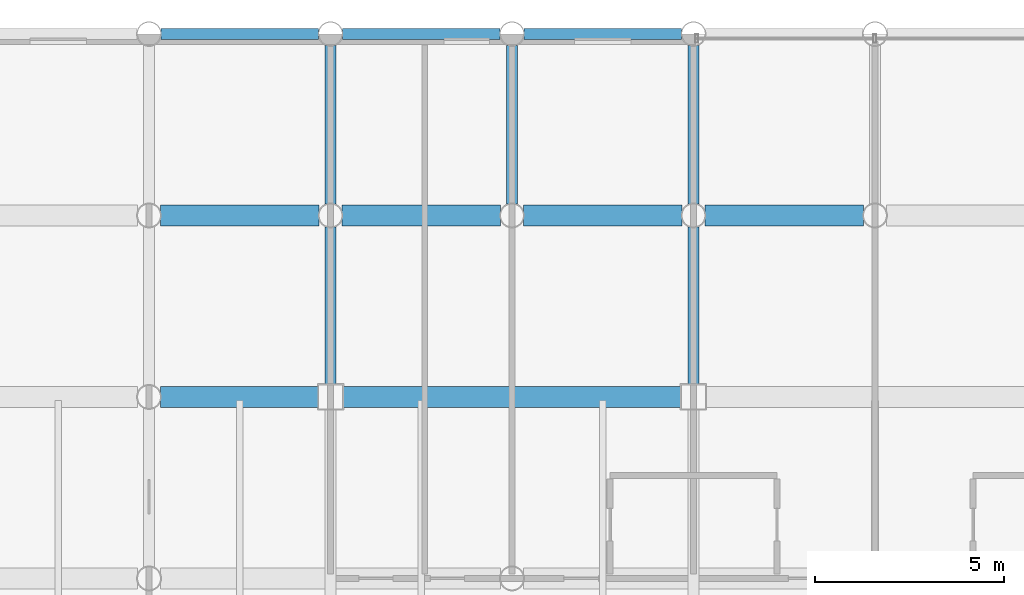
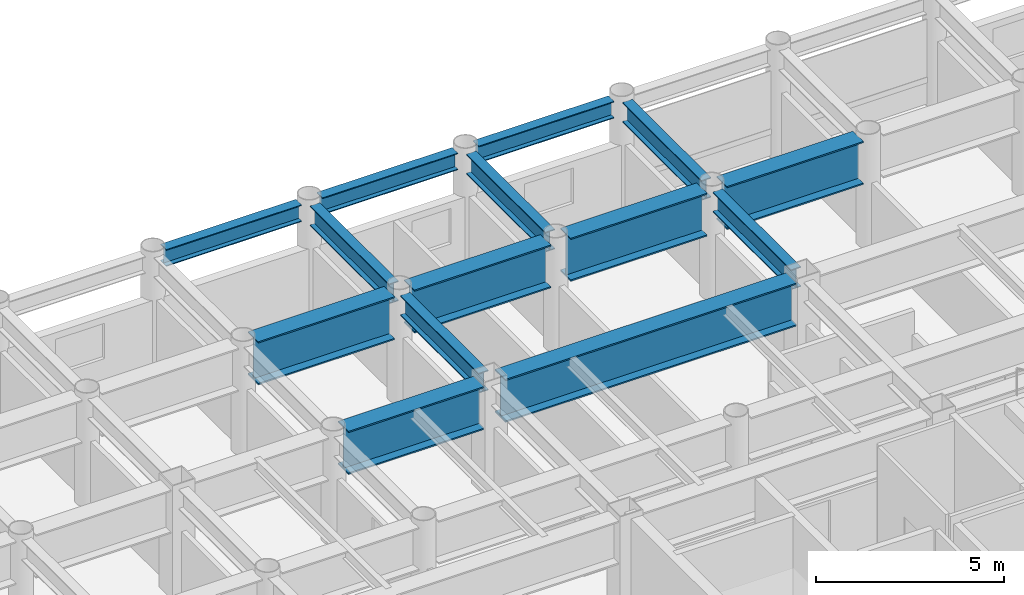
# One storey, part 11 of 23: 14 beams.
"""IFC4 building model written with IfcOpenShell, lengths in metres."""

import ifcopenshell
import ifcopenshell.guid

model = None  # the IFC model being written
_history = None  # IfcOwnerHistory: only IFC2X3 demands one
_inside = {}  # id of a spatial element -> (the spatial element, [elements in it])
_under = {}  # id of a project, library or spatial element -> (it, [spatial elements below it])
_declared = {}  # id of a project -> (the project, [libraries it declares])
_typed = {}  # id of a type object -> (the type object, [elements of that type])
_made_of = {}  # id of a material, layer set ... -> (it, [elements and type objects made of it])


def new_model(schema):
    """Start an empty IFC model of exactly this schema.

    Asked for "IFC4X3", IfcOpenShell would pick the latest addendum, in which some entities
    have other attributes; the version numbers below select the first issue.
    IFC2X3 requires an IfcOwnerHistory on every rooted entity: one is made here for all.
    """
    global model, _history
    if schema == "IFC4X3":
        model = ifcopenshell.file(schema_version=(4, 3, 0, 0))
    else:
        model = ifcopenshell.file(schema=schema)
    _inside.clear()
    _under.clear()
    _declared.clear()
    _typed.clear()
    _made_of.clear()
    _history = None
    if model.schema == "IFC2X3":
        org = make("IfcOrganization", Name="unknown")
        user = make(
            "IfcPersonAndOrganization",
            ThePerson=make("IfcPerson", FamilyName="unknown"),
            TheOrganization=org,
        )
        app = make(
            "IfcApplication",
            ApplicationDeveloper=org,
            Version="unknown",
            ApplicationFullName="unknown",
            ApplicationIdentifier="unknown",
        )
        _history = make(
            "IfcOwnerHistory",
            OwningUser=user,
            OwningApplication=app,
            ChangeAction="ADDED",
            CreationDate=0,
        )
    return model


def make(cls, **values):
    """One entity of the class cls with the attributes given. An attribute that is None is left unset."""
    return model.create_entity(
        cls, **{name: value for name, value in values.items() if value is not None}
    )


def rooted(cls, **values):
    """An entity with a GlobalId (a new one), such as an element, a storey or a relation."""
    return make(cls, GlobalId=ifcopenshell.guid.new(), OwnerHistory=_history, **values)


def si_unit(unit_type, name, prefix=None):
    """IfcSIUnit, for example si_unit("LENGTHUNIT", "METRE", prefix="MILLI")."""
    return make("IfcSIUnit", UnitType=unit_type, Prefix=prefix, Name=name)


def assignment(units):
    """IfcUnitAssignment: the units of a project."""
    return None if units is None else make("IfcUnitAssignment", Units=units)


def point(xyz):
    """IfcCartesianPoint."""
    return None if xyz is None else make("IfcCartesianPoint", Coordinates=xyz)


def direction(xyz):
    """IfcDirection."""
    return None if xyz is None else make("IfcDirection", DirectionRatios=xyz)


def frame(location, z_axis=None, x_axis=None):
    """IfcAxis2Placement3D, a coordinate frame: its origin and axes. An axis left out is left unset."""
    return make(
        "IfcAxis2Placement3D",
        Location=point(location),
        Axis=direction(z_axis),
        RefDirection=direction(x_axis),
    )


def frame_2d(location, x_axis=None):
    """IfcAxis2Placement2D, a coordinate frame in the plane: its origin and x axis."""
    return make(
        "IfcAxis2Placement2D", Location=point(location), RefDirection=direction(x_axis)
    )


def origin():
    """The frame at (0, 0, 0) with its axes left unset."""
    return frame((0.0, 0.0, 0.0))


def origin_2d():
    """The frame at (0, 0) in the plane with its x axis left unset."""
    return frame_2d((0.0, 0.0))


def place(relative_to, where):
    """IfcLocalPlacement: puts the frame where relative to a parent placement (None: the world)."""
    return make(
        "IfcLocalPlacement", PlacementRelTo=relative_to, RelativePlacement=where
    )


def context(
    kind, dimensions, precision=None, world=None, true_north=None, identifier=None
):
    """IfcGeometricRepresentationContext, for example the 3D "Model" context."""
    return make(
        "IfcGeometricRepresentationContext",
        ContextIdentifier=identifier,
        ContextType=kind,
        CoordinateSpaceDimension=dimensions,
        Precision=precision,
        WorldCoordinateSystem=world,
        TrueNorth=true_north,
    )


def subcontext(parent, identifier, kind, view, scale=None):
    """IfcGeometricRepresentationSubContext, for example "Body" below "Model"."""
    return make(
        "IfcGeometricRepresentationSubContext",
        ContextIdentifier=identifier,
        ContextType=kind,
        ParentContext=parent,
        TargetScale=scale,
        TargetView=view,
    )


def project(units=None, contexts=None):
    """IfcProject with its units and contexts."""
    return rooted(
        "IfcProject",
        Name="project",
        RepresentationContexts=contexts,
        UnitsInContext=assignment(units),
    )


def spatial(cls, under=None, at=None, **own):
    """A site, building, storey or space (cls), placed at a placement, below another one or the project."""
    s = rooted(cls, ObjectPlacement=at, **own)
    if under is not None:
        _under.setdefault(under.id(), (under, []))[1].append(s)
    return s


def profile(cls, at=None, kind="AREA", **sizes):
    """A parametric profile (cls). Its sizes go by their IFC names, for example OverallWidth=200.0."""
    return make(cls, ProfileType=kind, Position=at, **sizes)


def i_section(**sizes):
    """IfcIShapeProfileDef."""
    return profile("IfcIShapeProfileDef", **sizes)


def extrude(swept, where, along, depth):
    """IfcExtrudedAreaSolid: the profile swept, set in the frame where, extruded along a direction by depth."""
    return make(
        "IfcExtrudedAreaSolid",
        SweptArea=swept,
        Position=where,
        ExtrudedDirection=direction(along),
        Depth=depth,
    )


def shape(context_of_items, identifier, shape_type, items):
    """IfcShapeRepresentation: the items that make up one representation, for example the "Body"."""
    return make(
        "IfcShapeRepresentation",
        ContextOfItems=context_of_items,
        RepresentationIdentifier=identifier,
        RepresentationType=shape_type,
        Items=items,
    )


def material(Name=None, Category=None):
    """IfcMaterial."""
    return make("IfcMaterial", Name=Name, Category=Category)


def material_profile(
    of_material, cross_section, Name=None, Category=None, Priority=None
):
    """IfcMaterialProfile: a cross section and its material."""
    return make(
        "IfcMaterialProfile",
        Name=Name,
        Material=of_material,
        Profile=cross_section,
        Priority=Priority,
        Category=Category,
    )


def profile_set(profiles, Name=None, composite=None):
    """IfcMaterialProfileSet."""
    return make(
        "IfcMaterialProfileSet",
        Name=Name,
        MaterialProfiles=profiles,
        CompositeProfile=composite,
    )


def made_of(thing, what):
    """Note that an element or type object is made of a material, layer set ...; save() writes the relation."""
    if what is not None:
        _made_of.setdefault(what.id(), (what, []))[1].append(thing)
    return thing


def type_object(cls, material=None, **own):
    """A type object (cls), such as IfcWallType, which elements share."""
    return made_of(rooted(cls, **own), material)


def element(
    cls,
    number,
    at=None,
    inside=None,
    cuts=None,
    type_object=None,
    material=None,
    context=None,
    identifier="Body",
    shape_type=None,
    held_by="IfcProductDefinitionShape",
    body=None,
    shapes=None,
    **own,
):
    """One element of the class cls, such as IfcWall. Its Tag is "e" and its number.

    at: its placement. inside: the storey or other place that contains it. cuts: it is an
    opening in that element (IfcRelVoidsElement). A single representation is given by context,
    identifier, shape_type and body (its items); several are given by shapes. held_by: the class
    of the entity that holds the representations. save() writes the other relations.
    """
    e = rooted(cls, Tag="e%d" % number, ObjectPlacement=at, **own)
    if body is not None:
        shapes = [shape(context, identifier, shape_type, body)]
    if shapes is not None:
        e.Representation = make(held_by, Representations=shapes)
    if inside is not None:
        _inside.setdefault(inside.id(), (inside, []))[1].append(e)
    if cuts is not None:
        rooted(
            "IfcRelVoidsElement", RelatingBuildingElement=cuts, RelatedOpeningElement=e
        )
    if type_object is not None:
        _typed.setdefault(type_object.id(), (type_object, []))[1].append(e)
    return made_of(e, material)


def aggregate(whole, parts):
    """IfcRelAggregates: a whole, such as a stair, and the parts it consists of."""
    return rooted("IfcRelAggregates", RelatingObject=whole, RelatedObjects=parts)


def save(model, path):
    """Write the relations noted so far, then the file.

    IfcRelAggregates (storeys below a building ...), IfcRelContainedInSpatialStructure (elements
    in a storey), IfcRelDefinesByType, IfcRelAssociatesMaterial and IfcRelDeclares: one each for
    every whole, place, type object, material and project.
    """
    for whole, parts in _under.values():
        aggregate(whole, parts)
    for where, things in _inside.values():
        rooted(
            "IfcRelContainedInSpatialStructure",
            RelatedElements=things,
            RelatingStructure=where,
        )
    for kind, things in _typed.values():
        rooted("IfcRelDefinesByType", RelatedObjects=things, RelatingType=kind)
    for what, things in _made_of.values():
        rooted("IfcRelAssociatesMaterial", RelatedObjects=things, RelatingMaterial=what)
    for by, libraries in _declared.values():
        rooted("IfcRelDeclares", RelatingContext=by, RelatedDefinitions=libraries)
    model.write(path)


model = new_model("IFC4")

# Units and contexts
model_context = context("Model", 3, precision=1e-05, world=origin(), true_north=direction((0.0, 1.0)))
body_context = subcontext(model_context, "Body", "Model", "MODEL_VIEW")
ifc_project = project(units=[si_unit("LENGTHUNIT", "METRE"), si_unit("AREAUNIT", "SQUARE_METRE"), si_unit("VOLUMEUNIT", "CUBIC_METRE"), si_unit("PLANEANGLEUNIT", "RADIAN"), si_unit("MASSUNIT", "GRAM", prefix="KILO")], contexts=[model_context])

# Site, building, storey
site_placement = place(None, origin())
site = spatial("IfcSite", under=ifc_project, at=site_placement, CompositionType="ELEMENT")
building_placement = place(site_placement, origin())
building = spatial("IfcBuilding", under=site, at=building_placement, Name="Kallvorn Hotel Tower", CompositionType="ELEMENT")
storey_placement = place(building_placement, frame((0.0, 0.0, 124.800048828125)))
storey = spatial("IfcBuildingStorey", under=building, at=storey_placement, Name="L30", CompositionType="ELEMENT", Elevation=124.800048828125)

# Beams
ifc_material_1 = material(Name="Structural steel S355JR", Category="steel")
ifc_material_profile_1 = material_profile(ifc_material_1, i_section(OverallWidth=0.300048828125, OverallDepth=0.550048828125, WebThickness=0.014892578125, FlangeThickness=0.029052734375, at=origin_2d()), Name="HE 550 B")
ifc_profile_set_1 = profile_set([ifc_material_profile_1], Name="Structural steel S355JR")
beam_type_1 = type_object("IfcBeamType", Name="BM_HE550B", PredefinedType="SPANDREL", material=ifc_profile_set_1)
beam_1_placement = place(storey_placement, frame((-18.8798828125, 24.0, 3.244873046875), z_axis=(1.0, 0.0, 0.0), x_axis=(0.0, 1.0, 0.0)))
element("IfcBeam", 1, at=beam_1_placement, inside=storey, type_object=beam_type_1, Name="L31 Perimeter Spandrel 165", PredefinedType="SPANDREL", context=body_context, shape_type="SweptSolid", body=[
    extrude(i_section(OverallWidth=0.300048828125, OverallDepth=0.550048828125, WebThickness=0.014892578125, FlangeThickness=0.029052734375, at=origin_2d()), origin(), (0.0, 0.0, 1.0), 4.159912109375),
])
beam_2_placement = place(storey_placement, frame((-14.080078125, 24.0, 3.244873046875), z_axis=(1.0, 0.0, 0.0), x_axis=(0.0, 1.0, 0.0)))
element("IfcBeam", 2, at=beam_2_placement, inside=storey, type_object=beam_type_1, Name="L31 Perimeter Spandrel 166", PredefinedType="SPANDREL", context=body_context, shape_type="SweptSolid", body=[
    extrude(i_section(OverallWidth=0.300048828125, OverallDepth=0.550048828125, WebThickness=0.014892578125, FlangeThickness=0.029052734375, at=origin_2d()), origin(), (0.0, 0.0, 1.0), 4.16015625),
])
beam_3_placement = place(storey_placement, frame((-9.280029296875, 24.0, 3.244873046875), z_axis=(1.0, 0.0, 0.0), x_axis=(0.0, 1.0, 0.0)))
element("IfcBeam", 3, at=beam_3_placement, inside=storey, type_object=beam_type_1, Name="L31 Perimeter Spandrel 167", PredefinedType="SPANDREL", context=body_context, shape_type="SweptSolid", body=[
    extrude(i_section(OverallWidth=0.300048828125, OverallDepth=0.550048828125, WebThickness=0.014892578125, FlangeThickness=0.029052734375, at=origin_2d()), origin(), (0.0, 0.0, 1.0), 4.159912109375),
])
ifc_material_2 = material(Name="Structural steel S355JR", Category="steel")
ifc_material_profile_2 = material_profile(ifc_material_2, i_section(OverallWidth=0.300048828125, OverallDepth=0.64990234375, WebThickness=0.01611328125, FlangeThickness=0.031005859375, at=origin_2d()), Name="HE 650 B")
ifc_profile_set_2 = profile_set([ifc_material_profile_2], Name="Structural steel S355JR")
beam_type_2 = type_object("IfcBeamType", Name="BM_HE650B", PredefinedType="BEAM", material=ifc_profile_set_2)
beam_4_placement = place(storey_placement, frame((-14.39990234375, 14.72509765625, 3.195068359375), z_axis=(0.0, 1.0, 0.0), x_axis=(-1.0, 0.0, 0.0)))
element("IfcBeam", 4, at=beam_4_placement, inside=storey, type_object=beam_type_2, Name="L31 Primary Y-Girder 101", PredefinedType="BEAM", context=body_context, shape_type="SweptSolid", body=[
    extrude(i_section(OverallWidth=0.300048828125, OverallDepth=0.64990234375, WebThickness=0.01611328125, FlangeThickness=0.031005859375, at=origin_2d()), origin(), (0.0, 0.0, 1.0), 4.169921875),
])
for number, where, z_axis, x_axis, name in (
    (5, (-14.39990234375, 19.5048828125, 3.195068359375), (0.0, 1.0, 0.0), (-1.0, 0.0, 0.0), "L31 Primary Y-Girder 102"),
    (6, (-9.60009765625, 19.5048828125, 3.195068359375), (0.0, 1.0, 0.0), (-1.0, 0.0, 0.0), "L31 Primary Y-Girder 105"),
):
    element("IfcBeam", number, at=place(storey_placement, frame(where, z_axis=z_axis, x_axis=x_axis)), inside=storey, type_object=beam_type_2, Name=name, PredefinedType="BEAM", context=body_context, shape_type="SweptSolid", body=[
        extrude(i_section(OverallWidth=0.300048828125, OverallDepth=0.64990234375, WebThickness=0.01611328125, FlangeThickness=0.031005859375, at=origin_2d()), origin(), (0.0, 0.0, 1.0), 4.190185546875),
    ])
beam_5_placement = place(storey_placement, frame((-4.800048828125, 14.72509765625, 3.195068359375), z_axis=(0.0, 1.0, 0.0), x_axis=(-1.0, 0.0, 0.0)))
element("IfcBeam", 7, at=beam_5_placement, inside=storey, type_object=beam_type_2, Name="L31 Primary Y-Girder 109", PredefinedType="BEAM", context=body_context, shape_type="SweptSolid", body=[
    extrude(i_section(OverallWidth=0.300048828125, OverallDepth=0.64990234375, WebThickness=0.01611328125, FlangeThickness=0.031005859375, at=origin_2d()), origin(), (0.0, 0.0, 1.0), 4.169921875),
])
beam_6_placement = place(storey_placement, frame((-4.800048828125, 19.5048828125, 3.195068359375), z_axis=(0.0, 1.0, 0.0), x_axis=(-1.0, 0.0, 0.0)))
element("IfcBeam", 8, at=beam_6_placement, inside=storey, type_object=beam_type_2, Name="L31 Primary Y-Girder 110", PredefinedType="BEAM", context=body_context, shape_type="SweptSolid", body=[
    extrude(i_section(OverallWidth=0.300048828125, OverallDepth=0.64990234375, WebThickness=0.01611328125, FlangeThickness=0.031005859375, at=origin_2d()), origin(), (0.0, 0.0, 1.0), 4.190185546875),
])
ifc_material_3 = material(Name="Structural steel S355JR", Category="steel")
ifc_material_profile_3 = material_profile(ifc_material_3, i_section(OverallWidth=0.550048828125, OverallDepth=1.39990234375, WebThickness=0.02490234375, FlangeThickness=0.044921875, at=origin_2d()), Name="PG 1400x550x25x45")
ifc_profile_set_3 = profile_set([ifc_material_profile_3], Name="Structural steel S355JR")
beam_type_3 = type_object("IfcBeamType", Name="BM_PG_1400", PredefinedType="BEAM", material=ifc_profile_set_3)
beam_7_placement = place(storey_placement, frame((-18.89501953125, 14.39990234375, 2.820068359375), z_axis=(1.0, 0.0, 0.0), x_axis=(0.0, 1.0, 0.0)))
element("IfcBeam", 9, at=beam_7_placement, inside=storey, type_object=beam_type_3, Name="L31 Primary X-Girder 53", PredefinedType="BEAM", context=body_context, shape_type="SweptSolid", body=[
    extrude(i_section(OverallWidth=0.550048828125, OverallDepth=1.39990234375, WebThickness=0.02490234375, FlangeThickness=0.044921875, at=origin_2d()), origin(), (0.0, 0.0, 1.0), 4.169921875),
])
beam_8_placement = place(storey_placement, frame((-14.074951171875, 14.39990234375, 2.820068359375), z_axis=(1.0, 0.0, 0.0), x_axis=(0.0, 1.0, 0.0)))
element("IfcBeam", 10, at=beam_8_placement, inside=storey, type_object=beam_type_3, Name="L31 Primary X-Girder 54", PredefinedType="BEAM", context=body_context, shape_type="SweptSolid", body=[
    extrude(i_section(OverallWidth=0.550048828125, OverallDepth=1.39990234375, WebThickness=0.02490234375, FlangeThickness=0.044921875, at=origin_2d()), origin(), (0.0, 0.0, 1.0), 8.949951171875),
])
for number, where, z_axis, x_axis, name in (
    (11, (-18.89501953125, 19.199951171875, 2.820068359375), (1.0, 0.0, 0.0), (0.0, 1.0, 0.0), "L31 Primary X-Girder 63"),
    (12, (-14.094970703125, 19.199951171875, 2.820068359375), (1.0, 0.0, 0.0), (0.0, 1.0, 0.0), "L31 Primary X-Girder 64"),
    (13, (-9.294921875, 19.199951171875, 2.820068359375), (1.0, 0.0, 0.0), (0.0, 1.0, 0.0), "L31 Primary X-Girder 65"),
):
    element("IfcBeam", number, at=place(storey_placement, frame(where, z_axis=z_axis, x_axis=x_axis)), inside=storey, type_object=beam_type_3, Name=name, PredefinedType="BEAM", context=body_context, shape_type="SweptSolid", body=[
        extrude(i_section(OverallWidth=0.550048828125, OverallDepth=1.39990234375, WebThickness=0.02490234375, FlangeThickness=0.044921875, at=origin_2d()), origin(), (0.0, 0.0, 1.0), 4.18994140625),
    ])
beam_9_placement = place(storey_placement, frame((-4.4951171875, 19.199951171875, 2.820068359375), z_axis=(1.0, 0.0, 0.0), x_axis=(0.0, 1.0, 0.0)))
element("IfcBeam", 14, at=beam_9_placement, inside=storey, type_object=beam_type_3, Name="L31 Primary X-Girder 66", PredefinedType="BEAM", context=body_context, shape_type="SweptSolid", body=[
    extrude(i_section(OverallWidth=0.550048828125, OverallDepth=1.39990234375, WebThickness=0.02490234375, FlangeThickness=0.044921875, at=origin_2d()), origin(), (0.0, 0.0, 1.0), 4.190185546875),
])

save(model, "model.ifc")
